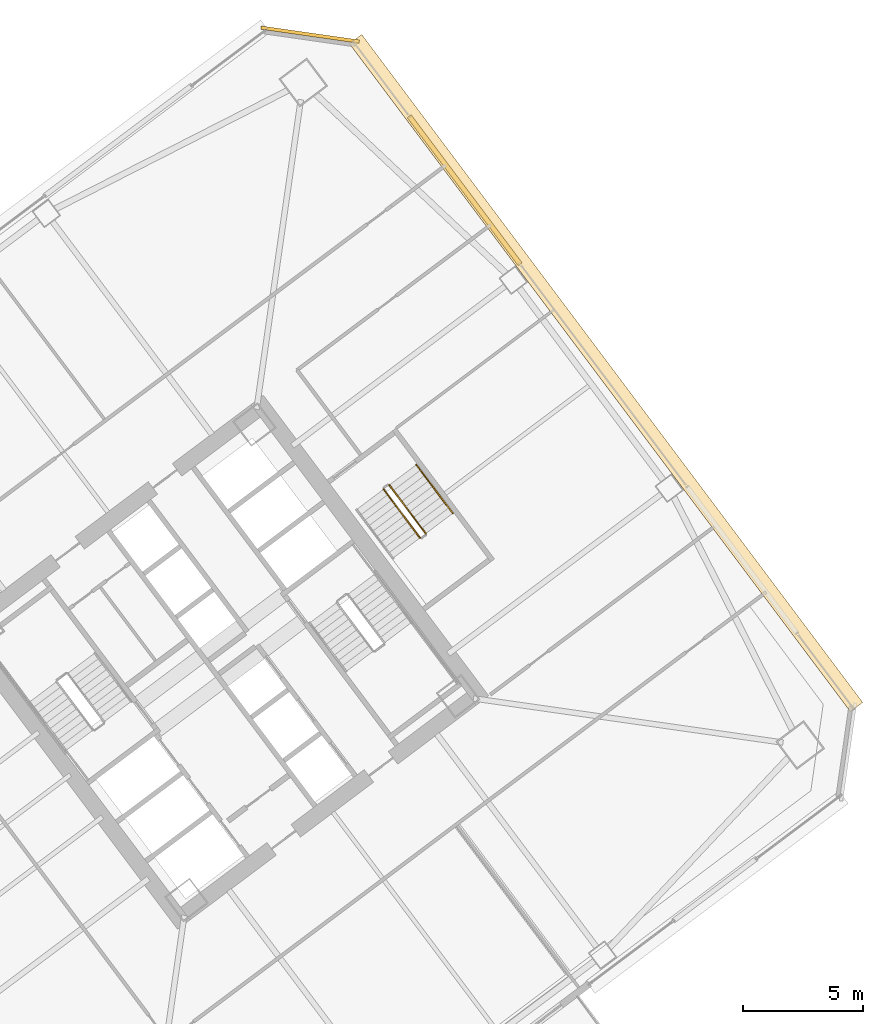
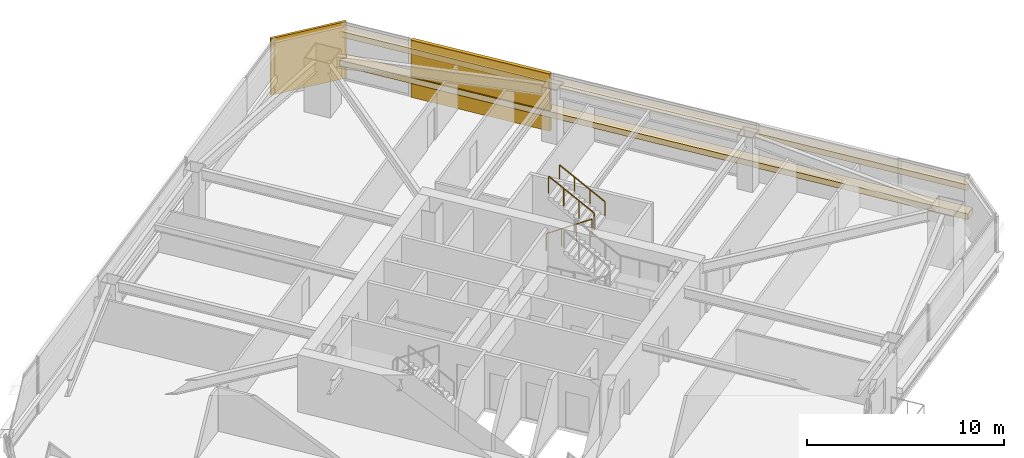
# One storey, part 47 of 47: 4 coverings, 3 railings.
"""IFC4 building model written with IfcOpenShell, lengths in metres."""

from ifc_helpers import new_model, si_unit, direction, frame, origin, origin_2d, place, context, subcontext, project, spatial, rectangle, extrude, material, layer, layer_set, type_object, element, save


model = new_model("IFC4")

# Units and contexts
model_context = context("Model", 3, precision=1e-05, world=origin(), true_north=direction((0.0, 1.0)))
body_context = subcontext(model_context, "Body", "Model", "MODEL_VIEW")
ifc_project = project(units=[si_unit("LENGTHUNIT", "METRE"), si_unit("AREAUNIT", "SQUARE_METRE"), si_unit("VOLUMEUNIT", "CUBIC_METRE"), si_unit("PLANEANGLEUNIT", "RADIAN"), si_unit("MASSUNIT", "GRAM", prefix="KILO")], contexts=[model_context])

# Site, building, storey
site_placement = place(None, origin())
site = spatial("IfcSite", under=ifc_project, at=site_placement, CompositionType="ELEMENT")
building_placement = place(site_placement, origin())
building = spatial("IfcBuilding", under=site, at=building_placement, Name="Tashvorn Skyway Center", CompositionType="ELEMENT")
storey_placement = place(building_placement, frame((0.0, 0.0, 81.39990234375)))
storey = spatial("IfcBuildingStorey", under=building, at=storey_placement, Name="L21", CompositionType="ELEMENT", Elevation=81.39990234375)

# Coverings
ifc_material_1 = material(Name="Precast concrete C40/50", Category="concrete")
ifc_layer_1 = layer(ifc_material_1, 0.199951171875)
ifc_layer_set_1 = layer_set([ifc_layer_1], Name="Precast concrete C40/50")
covering_type_1 = type_object("IfcCoveringType", Name="COV-BRACE-CLAD", PredefinedType="CLADDING", material=ifc_layer_set_1)
covering_1_placement = place(storey_placement, frame((124.14404296875, 51.60791015625, 0.0), z_axis=(0.0, 0.0, 1.0), x_axis=(0.600000004945, -0.799999996291, 0.0)))
element("IfcCovering", 1, at=covering_1_placement, inside=storey, type_object=covering_type_1, Name="Tower 2 L21 East Unitised Curtain Wall Mega-Brace Cladding Band 1", PredefinedType="CLADDING", context=body_context, shape_type="SweptSolid", body=[
    extrude(rectangle(XDim=7.679931640625, YDim=0.199951171875, at=origin_2d()), origin(), (0.0, 0.0, 1.0), 3.550048828125),
])
ifc_material_2 = material(Name="Perforated ceramic-coated bronze aluminium solar screen", Category="aluminium")
ifc_layer_2 = layer(ifc_material_2, 0.85009765625)
ifc_layer_set_2 = layer_set([ifc_layer_2], Name="Perforated ceramic-coated bronze aluminium solar screen")
covering_type_2 = type_object("IfcCoveringType", Name="COV-SOLAR-BAND", PredefinedType="CLADDING", material=ifc_layer_set_2)
for number, where, z_axis, x_axis, name in (
    (2, (130.01611328125, 44.011962890625, 0.919921875), (0.0, 0.0, 1.0), (0.600000004945, -0.799999996291, 0.0), "L21 Perforated Ceramic-Metal Solar Screen Louvre Band East 1"),
    (3, (130.01611328125, 44.011962890625, 2.72021484375), (0.0, 0.0, 1.0), (0.600000004945, -0.799999996291, 0.0), "L21 Perforated Ceramic-Metal Solar Screen Louvre Band East 2"),
):
    element("IfcCovering", number, at=place(storey_placement, frame(where, z_axis=z_axis, x_axis=x_axis)), inside=storey, type_object=covering_type_2, Name=name, PredefinedType="CLADDING", context=body_context, shape_type="SweptSolid", body=[
        extrude(rectangle(XDim=34.679931640625, YDim=0.639892578125, at=origin_2d()), origin(), (0.0, 0.0, 1.0), 0.360107421875),
    ])
ifc_layer_3 = layer(ifc_material_1, 0.35009765625)
ifc_layer_set_3 = layer_set([ifc_layer_3], Name="Precast concrete C40/50")
covering_type_3 = type_object("IfcCoveringType", Name="COV-STONE-TRIM", PredefinedType="CLADDING", material=ifc_layer_set_3)
covering_2_placement = place(storey_placement, frame((117.72412109375, 58.068115234375, 0.02001953125), z_axis=(0.0, 0.0, 1.0), x_axis=(0.989949494535, -0.141421350118, 0.0)))
element("IfcCovering", 4, at=covering_2_placement, inside=storey, type_object=covering_type_3, Name="Tower 2 L21 NE Mojave Limestone Corner Quoin", PredefinedType="CLADDING", context=body_context, shape_type="SweptSolid", body=[
    extrude(rectangle(XDim=4.119873046875, YDim=0.139892578125, at=origin_2d()), origin(), (0.0, 0.0, 1.0), 3.510009765625),
])

# Railings
ifc_material_3 = material(Name="Brushed stainless steel 316", Category="steel")
railing_type_1 = type_object("IfcRailingType", Name="RAIL-HAND-920", PredefinedType="HANDRAIL", material=ifc_material_3)
railing_1_placement = place(storey_placement, frame((123.64794921875, 38.18603515625, 1.95263671875)))
element("IfcRailing", 5, at=railing_1_placement, inside=storey, type_object=railing_type_1, Name="L21 ST-T2-3 stair handrail 2", PredefinedType="HANDRAIL", context=body_context, shape_type="SweptSolid", body=[
    extrude(rectangle(XDim=0.048095703125, YDim=0.048095703125, at=origin_2d()), frame((0.0, 0.0, 0.8759765625), z_axis=(-0.506768818287, 0.675664481285, 0.535409071218), x_axis=(-0.79998837352, -0.60001550166, 0.0)), (0.0, 0.0, 1.0), 2.983642578125),
    extrude(rectangle(XDim=0.0419921875, YDim=0.0419921875, at=origin_2d()), origin(), (0.0, 0.0, 1.0), 0.851806640625),
    extrude(rectangle(XDim=0.0419921875, YDim=0.0419921875, at=origin_2d()), frame((-0.50390625, 0.671875, 0.532470703125)), (0.0, 0.0, 1.0), 0.851806640625),
    extrude(rectangle(XDim=0.0419921875, YDim=0.0419921875, at=origin_2d()), frame((-1.008056640625, 1.343994140625, 1.06494140625)), (0.0, 0.0, 1.0), 0.851806640625),
    extrude(rectangle(XDim=0.0419921875, YDim=0.0419921875, at=origin_2d()), frame((-1.511962890625, 2.015869140625, 1.597412109375)), (0.0, 0.0, 1.0), 0.851806640625),
])
ifc_material_4 = material(Name="Painted galvanized steel S355", Category="steel")
railing_type_2 = type_object("IfcRailingType", Name="RAIL-STGUARD-1100", PredefinedType="GUARDRAIL", material=ifc_material_4)
railing_2_placement = place(storey_placement, frame((120.77587890625, 39.181884765625, 0.177490234375)))
element("IfcRailing", 6, at=railing_2_placement, inside=storey, type_object=railing_type_2, Name="L21 ST-T2-3 stair guard 1", PredefinedType="GUARDRAIL", context=body_context, shape_type="SweptSolid", body=[
    extrude(rectangle(XDim=0.048095703125, YDim=0.048095703125, at=origin_2d()), frame((0.0, 0.0, 1.076171875), z_axis=(0.506807425148, -0.675606863004, 0.535445235739), x_axis=(0.799941867976, 0.600077501544, 0.0)), (0.0, 0.0, 1.0), 2.98388671875),
    extrude(rectangle(XDim=0.0419921875, YDim=0.0419921875, at=origin_2d()), origin(), (0.0, 0.0, 1.0), 1.052001953125),
    extrude(rectangle(XDim=0.0419921875, YDim=0.0419921875, at=origin_2d()), frame((0.504150390625, -0.671875, 0.532470703125)), (0.0, 0.0, 1.0), 1.052001953125),
    extrude(rectangle(XDim=0.0419921875, YDim=0.0419921875, at=origin_2d()), frame((1.008056640625, -1.343994140625, 1.065185546875)), (0.0, 0.0, 1.0), 1.052001953125),
    extrude(rectangle(XDim=0.0419921875, YDim=0.0419921875, at=origin_2d()), frame((1.51220703125, -2.015869140625, 1.59765625)), (0.0, 0.0, 1.0), 1.052001953125),
])
railing_3_placement = place(storey_placement, frame((122.528076171875, 37.345947265625, 1.95263671875)))
element("IfcRailing", 7, at=railing_3_placement, inside=storey, type_object=railing_type_2, Name="L21 ST-T2-3 stair guard 3", PredefinedType="GUARDRAIL", context=body_context, shape_type="SweptSolid", body=[
    extrude(rectangle(XDim=0.048095703125, YDim=0.048095703125, at=origin_2d()), frame((0.0, 0.0, 1.076171875), z_axis=(-0.506740800098, 0.675708949977, 0.535379469569), x_axis=(-0.800023250257, -0.599968998406, 0.0)), (0.0, 0.0, 1.0), 2.983642578125),
    extrude(rectangle(XDim=0.0419921875, YDim=0.0419921875, at=origin_2d()), origin(), (0.0, 0.0, 1.0), 1.052001953125),
    extrude(rectangle(XDim=0.0419921875, YDim=0.0419921875, at=origin_2d()), frame((-0.50390625, 0.672119140625, 0.532470703125)), (0.0, 0.0, 1.0), 1.052001953125),
    extrude(rectangle(XDim=0.0419921875, YDim=0.0419921875, at=origin_2d()), frame((-1.008056640625, 1.343994140625, 1.06494140625)), (0.0, 0.0, 1.0), 1.052001953125),
    extrude(rectangle(XDim=0.0419921875, YDim=0.0419921875, at=origin_2d()), frame((-1.511962890625, 2.01611328125, 1.597412109375)), (0.0, 0.0, 1.0), 1.052001953125),
])

save(model, "model.ifc")
